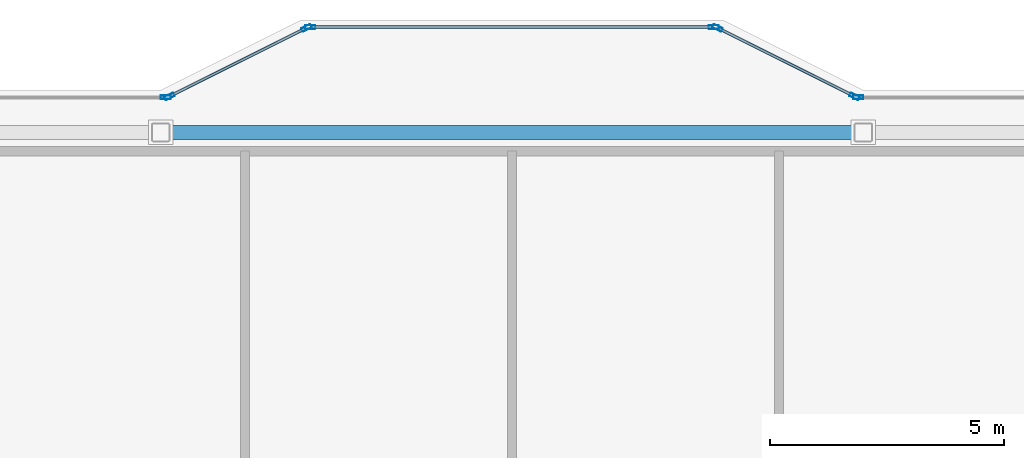
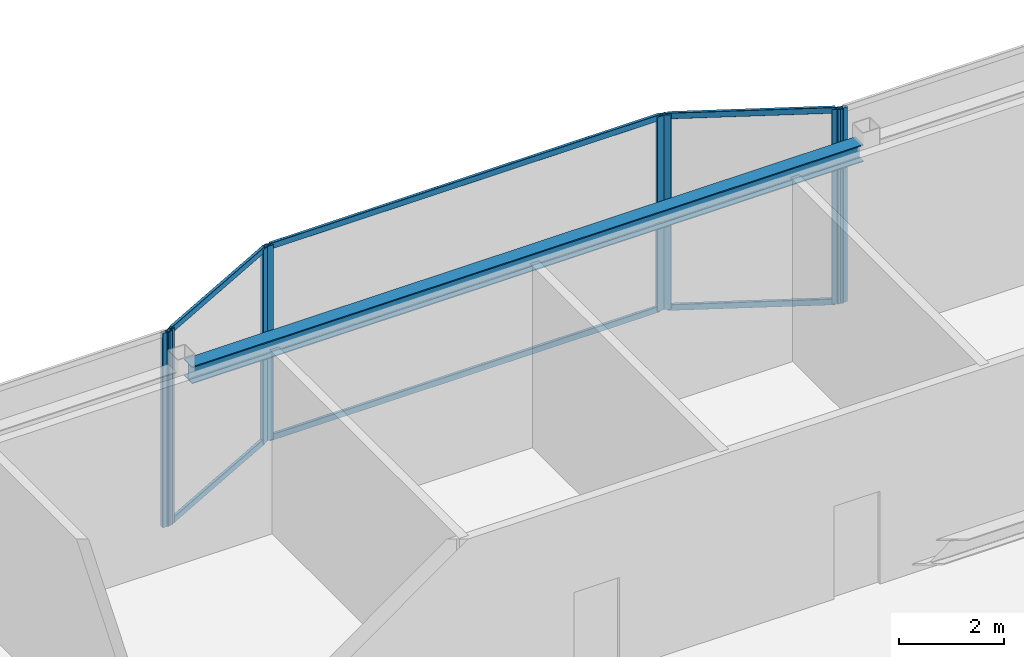
# One storey, part 11 of 18: 14 members, 1 beam, 5 elements without a shape of their own.
"""IFC4 building model written with IfcOpenShell, lengths in metres."""

import ifcopenshell
import ifcopenshell.guid

model = None  # the IFC model being written
_history = None  # IfcOwnerHistory: only IFC2X3 demands one
_inside = {}  # id of a spatial element -> (the spatial element, [elements in it])
_under = {}  # id of a project, library or spatial element -> (it, [spatial elements below it])
_declared = {}  # id of a project -> (the project, [libraries it declares])
_typed = {}  # id of a type object -> (the type object, [elements of that type])
_made_of = {}  # id of a material, layer set ... -> (it, [elements and type objects made of it])


def new_model(schema):
    """Start an empty IFC model of exactly this schema.

    Asked for "IFC4X3", IfcOpenShell would pick the latest addendum, in which some entities
    have other attributes; the version numbers below select the first issue.
    IFC2X3 requires an IfcOwnerHistory on every rooted entity: one is made here for all.
    """
    global model, _history
    if schema == "IFC4X3":
        model = ifcopenshell.file(schema_version=(4, 3, 0, 0))
    else:
        model = ifcopenshell.file(schema=schema)
    _inside.clear()
    _under.clear()
    _declared.clear()
    _typed.clear()
    _made_of.clear()
    _history = None
    if model.schema == "IFC2X3":
        org = make("IfcOrganization", Name="unknown")
        user = make(
            "IfcPersonAndOrganization",
            ThePerson=make("IfcPerson", FamilyName="unknown"),
            TheOrganization=org,
        )
        app = make(
            "IfcApplication",
            ApplicationDeveloper=org,
            Version="unknown",
            ApplicationFullName="unknown",
            ApplicationIdentifier="unknown",
        )
        _history = make(
            "IfcOwnerHistory",
            OwningUser=user,
            OwningApplication=app,
            ChangeAction="ADDED",
            CreationDate=0,
        )
    return model


def make(cls, **values):
    """One entity of the class cls with the attributes given. An attribute that is None is left unset."""
    return model.create_entity(
        cls, **{name: value for name, value in values.items() if value is not None}
    )


def rooted(cls, **values):
    """An entity with a GlobalId (a new one), such as an element, a storey or a relation."""
    return make(cls, GlobalId=ifcopenshell.guid.new(), OwnerHistory=_history, **values)


def si_unit(unit_type, name, prefix=None):
    """IfcSIUnit, for example si_unit("LENGTHUNIT", "METRE", prefix="MILLI")."""
    return make("IfcSIUnit", UnitType=unit_type, Prefix=prefix, Name=name)


def assignment(units):
    """IfcUnitAssignment: the units of a project."""
    return None if units is None else make("IfcUnitAssignment", Units=units)


def point(xyz):
    """IfcCartesianPoint."""
    return None if xyz is None else make("IfcCartesianPoint", Coordinates=xyz)


def direction(xyz):
    """IfcDirection."""
    return None if xyz is None else make("IfcDirection", DirectionRatios=xyz)


def frame(location, z_axis=None, x_axis=None):
    """IfcAxis2Placement3D, a coordinate frame: its origin and axes. An axis left out is left unset."""
    return make(
        "IfcAxis2Placement3D",
        Location=point(location),
        Axis=direction(z_axis),
        RefDirection=direction(x_axis),
    )


def frame_2d(location, x_axis=None):
    """IfcAxis2Placement2D, a coordinate frame in the plane: its origin and x axis."""
    return make(
        "IfcAxis2Placement2D", Location=point(location), RefDirection=direction(x_axis)
    )


def origin():
    """The frame at (0, 0, 0) with its axes left unset."""
    return frame((0.0, 0.0, 0.0))


def origin_2d():
    """The frame at (0, 0) in the plane with its x axis left unset."""
    return frame_2d((0.0, 0.0))


def place(relative_to, where):
    """IfcLocalPlacement: puts the frame where relative to a parent placement (None: the world)."""
    return make(
        "IfcLocalPlacement", PlacementRelTo=relative_to, RelativePlacement=where
    )


def context(
    kind, dimensions, precision=None, world=None, true_north=None, identifier=None
):
    """IfcGeometricRepresentationContext, for example the 3D "Model" context."""
    return make(
        "IfcGeometricRepresentationContext",
        ContextIdentifier=identifier,
        ContextType=kind,
        CoordinateSpaceDimension=dimensions,
        Precision=precision,
        WorldCoordinateSystem=world,
        TrueNorth=true_north,
    )


def subcontext(parent, identifier, kind, view, scale=None):
    """IfcGeometricRepresentationSubContext, for example "Body" below "Model"."""
    return make(
        "IfcGeometricRepresentationSubContext",
        ContextIdentifier=identifier,
        ContextType=kind,
        ParentContext=parent,
        TargetScale=scale,
        TargetView=view,
    )


def project(units=None, contexts=None):
    """IfcProject with its units and contexts."""
    return rooted(
        "IfcProject",
        Name="project",
        RepresentationContexts=contexts,
        UnitsInContext=assignment(units),
    )


def spatial(cls, under=None, at=None, **own):
    """A site, building, storey or space (cls), placed at a placement, below another one or the project."""
    s = rooted(cls, ObjectPlacement=at, **own)
    if under is not None:
        _under.setdefault(under.id(), (under, []))[1].append(s)
    return s


def profile(cls, at=None, kind="AREA", **sizes):
    """A parametric profile (cls). Its sizes go by their IFC names, for example OverallWidth=200.0."""
    return make(cls, ProfileType=kind, Position=at, **sizes)


def hollow_rectangle(**sizes):
    """IfcRectangleHollowProfileDef."""
    return profile("IfcRectangleHollowProfileDef", **sizes)


def i_section(**sizes):
    """IfcIShapeProfileDef."""
    return profile("IfcIShapeProfileDef", **sizes)


def extrude(swept, where, along, depth):
    """IfcExtrudedAreaSolid: the profile swept, set in the frame where, extruded along a direction by depth."""
    return make(
        "IfcExtrudedAreaSolid",
        SweptArea=swept,
        Position=where,
        ExtrudedDirection=direction(along),
        Depth=depth,
    )


def shape(context_of_items, identifier, shape_type, items):
    """IfcShapeRepresentation: the items that make up one representation, for example the "Body"."""
    return make(
        "IfcShapeRepresentation",
        ContextOfItems=context_of_items,
        RepresentationIdentifier=identifier,
        RepresentationType=shape_type,
        Items=items,
    )


def material(Name=None, Category=None):
    """IfcMaterial."""
    return make("IfcMaterial", Name=Name, Category=Category)


def layer(
    of_material, thickness, ventilated=None, Name=None, Category=None, Priority=None
):
    """IfcMaterialLayer: one layer of a wall or slab, of a material (None: an air gap)."""
    return make(
        "IfcMaterialLayer",
        Material=of_material,
        LayerThickness=thickness,
        IsVentilated=ventilated,
        Name=Name,
        Category=Category,
        Priority=Priority,
    )


def layer_set(layers, Name=None):
    """IfcMaterialLayerSet."""
    return make("IfcMaterialLayerSet", MaterialLayers=layers, LayerSetName=Name)


def material_profile(
    of_material, cross_section, Name=None, Category=None, Priority=None
):
    """IfcMaterialProfile: a cross section and its material."""
    return make(
        "IfcMaterialProfile",
        Name=Name,
        Material=of_material,
        Profile=cross_section,
        Priority=Priority,
        Category=Category,
    )


def profile_set(profiles, Name=None, composite=None):
    """IfcMaterialProfileSet."""
    return make(
        "IfcMaterialProfileSet",
        Name=Name,
        MaterialProfiles=profiles,
        CompositeProfile=composite,
    )


def made_of(thing, what):
    """Note that an element or type object is made of a material, layer set ...; save() writes the relation."""
    if what is not None:
        _made_of.setdefault(what.id(), (what, []))[1].append(thing)
    return thing


def type_object(cls, material=None, **own):
    """A type object (cls), such as IfcWallType, which elements share."""
    return made_of(rooted(cls, **own), material)


def element(
    cls,
    number,
    at=None,
    inside=None,
    cuts=None,
    type_object=None,
    material=None,
    context=None,
    identifier="Body",
    shape_type=None,
    held_by="IfcProductDefinitionShape",
    body=None,
    shapes=None,
    **own,
):
    """One element of the class cls, such as IfcWall. Its Tag is "e" and its number.

    at: its placement. inside: the storey or other place that contains it. cuts: it is an
    opening in that element (IfcRelVoidsElement). A single representation is given by context,
    identifier, shape_type and body (its items); several are given by shapes. held_by: the class
    of the entity that holds the representations. save() writes the other relations.
    """
    e = rooted(cls, Tag="e%d" % number, ObjectPlacement=at, **own)
    if body is not None:
        shapes = [shape(context, identifier, shape_type, body)]
    if shapes is not None:
        e.Representation = make(held_by, Representations=shapes)
    if inside is not None:
        _inside.setdefault(inside.id(), (inside, []))[1].append(e)
    if cuts is not None:
        rooted(
            "IfcRelVoidsElement", RelatingBuildingElement=cuts, RelatedOpeningElement=e
        )
    if type_object is not None:
        _typed.setdefault(type_object.id(), (type_object, []))[1].append(e)
    return made_of(e, material)


def aggregate(whole, parts):
    """IfcRelAggregates: a whole, such as a stair, and the parts it consists of."""
    return rooted("IfcRelAggregates", RelatingObject=whole, RelatedObjects=parts)


def save(model, path):
    """Write the relations noted so far, then the file.

    IfcRelAggregates (storeys below a building ...), IfcRelContainedInSpatialStructure (elements
    in a storey), IfcRelDefinesByType, IfcRelAssociatesMaterial and IfcRelDeclares: one each for
    every whole, place, type object, material and project.
    """
    for whole, parts in _under.values():
        aggregate(whole, parts)
    for where, things in _inside.values():
        rooted(
            "IfcRelContainedInSpatialStructure",
            RelatedElements=things,
            RelatingStructure=where,
        )
    for kind, things in _typed.values():
        rooted("IfcRelDefinesByType", RelatedObjects=things, RelatingType=kind)
    for what, things in _made_of.values():
        rooted("IfcRelAssociatesMaterial", RelatedObjects=things, RelatingMaterial=what)
    for by, libraries in _declared.values():
        rooted("IfcRelDeclares", RelatingContext=by, RelatedDefinitions=libraries)
    model.write(path)


model = new_model("IFC4")

# Units and contexts
model_context = context("Model", 3, precision=1e-05, world=origin(), true_north=direction((0.0, 1.0)))
body_context = subcontext(model_context, "Body", "Model", "MODEL_VIEW")
ifc_project = project(units=[si_unit("LENGTHUNIT", "METRE"), si_unit("AREAUNIT", "SQUARE_METRE"), si_unit("VOLUMEUNIT", "CUBIC_METRE"), si_unit("PLANEANGLEUNIT", "RADIAN"), si_unit("MASSUNIT", "GRAM", prefix="KILO")], contexts=[model_context])

# Site, building, storey
site_placement = place(None, origin())
site = spatial("IfcSite", under=ifc_project, at=site_placement, CompositionType="ELEMENT")
building_placement = place(site_placement, origin())
building = spatial("IfcBuilding", under=site, at=building_placement, Name="Tarnavaz Court Tower", CompositionType="ELEMENT")
storey_placement = place(building_placement, frame((0.0, 0.0, 281.550048828125)))
storey = spatial("IfcBuildingStorey", under=building, at=storey_placement, Name="C01", CompositionType="ELEMENT", Elevation=281.550048828125)

# Beam
ifc_material_1 = material(Name="Steel S355", Category="steel")
ifc_material_profile_1 = material_profile(ifc_material_1, i_section(OverallWidth=0.300048828125, OverallDepth=0.39990234375, WebThickness=0.013427734375, FlangeThickness=0.02392578125, FilletRadius=0.027099609375, at=origin_2d()), Name="HEB 400")
ifc_profile_set_1 = profile_set([ifc_material_profile_1], Name="Steel S355")
beam_type = type_object("IfcBeamType", Name="BM-G-HEB400", PredefinedType="USERDEFINED", material=ifc_profile_set_1)
beam_placement = place(storey_placement, frame((-7.35009765625, 20.10009765625, 4.0), z_axis=(1.0, 0.0, 0.0), x_axis=(0.0, 1.0, 0.0)))
element("IfcBeam", 1, at=beam_placement, inside=storey, type_object=beam_type, Name="C01 Beam CRG-PN-2-PN-3", ObjectType="GIRDER", PredefinedType="USERDEFINED", context=body_context, shape_type="SweptSolid", body=[
    extrude(i_section(OverallWidth=0.300048828125, OverallDepth=0.39990234375, WebThickness=0.013427734375, FlangeThickness=0.02392578125, FilletRadius=0.027099609375, at=origin_2d()), origin(), (0.0, 0.0, 1.0), 14.7001953125),
])

# Curtain wall, member
ifc_material_2 = material(Name="Anodised Aluminium 6063-T6 and Solar Low-E Glazing", Category="aluminium")
ifc_layer = layer(ifc_material_2, 0.2099609375)
ifc_layer_set = layer_set([ifc_layer], Name="Anodised Aluminium 6063-T6 and Solar Low-E Glazing")
curtain_wall_type = type_object("IfcCurtainWallType", Name="CW-SYS-06", PredefinedType="NOTDEFINED", material=ifc_layer_set)
curtain_wall_1_placement = place(storey_placement, origin())
curtain_wall_1 = element("IfcCurtainWall", 2, at=curtain_wall_1_placement, inside=storey, type_object=curtain_wall_type, Name="C01 Slanted Crown Terracotta Curtain Wall 17", PredefinedType="NOTDEFINED")
ifc_material_3 = material(Name="Anodised Aluminium 6063-T6", Category="aluminium")
ifc_material_profile_2 = material_profile(ifc_material_3, hollow_rectangle(XDim=0.0849609375, YDim=0.219970703125, WallThickness=0.006103515625, InnerFilletRadius=0.006103515625, OuterFilletRadius=0.011962890625, at=origin_2d()), Name="ALU RHS 220X85X6")
ifc_profile_set_2 = profile_set([ifc_material_profile_2], Name="Anodised Aluminium 6063-T6")
member_type_1 = type_object("IfcMemberType", Name="CW-MUL-220", PredefinedType="MULLION", material=ifc_profile_set_2)
member_1_placement = place(storey_placement, frame((-7.392578125, 20.85009765625, 0.0), z_axis=(0.0, 0.0, 1.0), x_axis=(0.0, 1.0, 0.0)))
member_1 = element("IfcMember", 3, at=member_1_placement, type_object=member_type_1, Name="CW mullion 3", PredefinedType="MULLION", context=body_context, shape_type="SweptSolid", body=[
    extrude(hollow_rectangle(XDim=0.0849609375, YDim=0.219970703125, WallThickness=0.006103515625, InnerFilletRadius=0.006103515625, OuterFilletRadius=0.011962890625, at=origin_2d()), origin(), (0.0, 0.0, 1.0), 4.5),
])
aggregate(curtain_wall_1, [member_1])

# Curtain wall, members
curtain_wall_2_placement = place(storey_placement, origin())
curtain_wall_2 = element("IfcCurtainWall", 4, at=curtain_wall_2_placement, inside=storey, type_object=curtain_wall_type, Name="C01 Slanted Crown Terracotta Curtain Wall 18", PredefinedType="NOTDEFINED")
member_2_placement = place(storey_placement, frame((-7.31201171875, 20.868896484375, 0.0), z_axis=(0.0, 0.0, 1.0), x_axis=(-0.447213595499, 0.894427191001, 0.0)))
member_2 = element("IfcMember", 5, at=member_2_placement, type_object=member_type_1, Name="CW mullion 1", PredefinedType="MULLION", context=body_context, shape_type="SweptSolid", body=[
    extrude(hollow_rectangle(XDim=0.0849609375, YDim=0.219970703125, WallThickness=0.006103515625, InnerFilletRadius=0.006103515625, OuterFilletRadius=0.011962890625, at=origin_2d()), origin(), (0.0, 0.0, 1.0), 4.5),
])
member_3_placement = place(storey_placement, frame((-4.387939453125, 22.3310546875, 0.0), z_axis=(0.0, 0.0, 1.0), x_axis=(-0.447213595499, 0.894427191001, 0.0)))
member_3 = element("IfcMember", 6, at=member_3_placement, type_object=member_type_1, Name="CW mullion 2", PredefinedType="MULLION", context=body_context, shape_type="SweptSolid", body=[
    extrude(hollow_rectangle(XDim=0.0849609375, YDim=0.219970703125, WallThickness=0.006103515625, InnerFilletRadius=0.006103515625, OuterFilletRadius=0.011962890625, at=origin_2d()), origin(), (0.0, 0.0, 1.0), 4.5),
])

curtain_wall_3_placement = place(storey_placement, origin())
curtain_wall_3 = element("IfcCurtainWall", 7, at=curtain_wall_3_placement, inside=storey, type_object=curtain_wall_type, Name="C01 Slanted Crown Terracotta Curtain Wall 19", PredefinedType="NOTDEFINED")
member_4_placement = place(storey_placement, frame((-4.3076171875, 22.35009765625, 0.0), z_axis=(0.0, 0.0, 1.0), x_axis=(0.0, 1.0, 0.0)))
member_4 = element("IfcMember", 8, at=member_4_placement, type_object=member_type_1, Name="CW mullion 1", PredefinedType="MULLION", context=body_context, shape_type="SweptSolid", body=[
    extrude(hollow_rectangle(XDim=0.0849609375, YDim=0.219970703125, WallThickness=0.006103515625, InnerFilletRadius=0.006103515625, OuterFilletRadius=0.011962890625, at=origin_2d()), origin(), (0.0, 0.0, 1.0), 4.5),
])
member_5_placement = place(storey_placement, frame((4.3076171875, 22.35009765625, 0.0), z_axis=(0.0, 0.0, 1.0), x_axis=(0.0, 1.0, 0.0)))
member_5 = element("IfcMember", 9, at=member_5_placement, type_object=member_type_1, Name="CW mullion 2", PredefinedType="MULLION", context=body_context, shape_type="SweptSolid", body=[
    extrude(hollow_rectangle(XDim=0.0849609375, YDim=0.219970703125, WallThickness=0.006103515625, InnerFilletRadius=0.006103515625, OuterFilletRadius=0.011962890625, at=origin_2d()), origin(), (0.0, 0.0, 1.0), 4.5),
])

curtain_wall_4_placement = place(storey_placement, origin())
curtain_wall_4 = element("IfcCurtainWall", 10, at=curtain_wall_4_placement, inside=storey, type_object=curtain_wall_type, Name="C01 Slanted Crown Terracotta Curtain Wall 20", PredefinedType="NOTDEFINED")
member_6_placement = place(storey_placement, frame((4.387939453125, 22.3310546875, 0.0), z_axis=(0.0, 0.0, 1.0), x_axis=(0.447213595499, 0.894427191001, 0.0)))
member_6 = element("IfcMember", 11, at=member_6_placement, type_object=member_type_1, Name="CW mullion 1", PredefinedType="MULLION", context=body_context, shape_type="SweptSolid", body=[
    extrude(hollow_rectangle(XDim=0.0849609375, YDim=0.219970703125, WallThickness=0.006103515625, InnerFilletRadius=0.006103515625, OuterFilletRadius=0.011962890625, at=origin_2d()), origin(), (0.0, 0.0, 1.0), 4.5),
])
member_7_placement = place(storey_placement, frame((7.31201171875, 20.868896484375, 0.0), z_axis=(0.0, 0.0, 1.0), x_axis=(0.447213595499, 0.894427191001, 0.0)))
member_7 = element("IfcMember", 12, at=member_7_placement, type_object=member_type_1, Name="CW mullion 2", PredefinedType="MULLION", context=body_context, shape_type="SweptSolid", body=[
    extrude(hollow_rectangle(XDim=0.0849609375, YDim=0.219970703125, WallThickness=0.006103515625, InnerFilletRadius=0.006103515625, OuterFilletRadius=0.011962890625, at=origin_2d()), origin(), (0.0, 0.0, 1.0), 4.5),
])

# Curtain wall, member
curtain_wall_5_placement = place(storey_placement, origin())
curtain_wall_5 = element("IfcCurtainWall", 13, at=curtain_wall_5_placement, inside=storey, type_object=curtain_wall_type, Name="C01 Slanted Crown Terracotta Curtain Wall 21", PredefinedType="NOTDEFINED")
member_8_placement = place(storey_placement, frame((7.392578125, 20.85009765625, 0.0), z_axis=(0.0, 0.0, 1.0), x_axis=(0.0, 1.0, 0.0)))
member_8 = element("IfcMember", 14, at=member_8_placement, type_object=member_type_1, Name="CW mullion 1", PredefinedType="MULLION", context=body_context, shape_type="SweptSolid", body=[
    extrude(hollow_rectangle(XDim=0.0849609375, YDim=0.219970703125, WallThickness=0.006103515625, InnerFilletRadius=0.006103515625, OuterFilletRadius=0.011962890625, at=origin_2d()), origin(), (0.0, 0.0, 1.0), 4.5),
])
aggregate(curtain_wall_5, [member_8])

# Member
ifc_material_profile_3 = material_profile(ifc_material_3, hollow_rectangle(XDim=0.06494140625, YDim=0.139892578125, WallThickness=0.00390625, InnerFilletRadius=0.00390625, OuterFilletRadius=0.008056640625, at=origin_2d()), Name="ALU RHS 140X65X4")
ifc_profile_set_3 = profile_set([ifc_material_profile_3], Name="Anodised Aluminium 6063-T6")
member_type_2 = type_object("IfcMemberType", Name="CW-TRN-140", PredefinedType="USERDEFINED", material=ifc_profile_set_3)
member_9_placement = place(storey_placement, frame((-7.27392578125, 20.887939453125, 0.032470703125), z_axis=(0.894411855509, 0.447244265168, 0.0), x_axis=(-0.447244265168, 0.894411855509, 0.0)))
member_9 = element("IfcMember", 15, at=member_9_placement, type_object=member_type_2, Name="CW transom 1.1", ObjectType="TRANSOM", PredefinedType="USERDEFINED", context=body_context, shape_type="SweptSolid", body=[
    extrude(hollow_rectangle(XDim=0.06494140625, YDim=0.139892578125, WallThickness=0.00390625, InnerFilletRadius=0.00390625, OuterFilletRadius=0.008056640625, at=origin_2d()), origin(), (0.0, 0.0, 1.0), 3.18408203125),
])

member_10_placement = place(storey_placement, frame((-7.27392578125, 20.887939453125, 4.467529296875), z_axis=(0.894411855509, 0.447244265168, 0.0), x_axis=(-0.447244265168, 0.894411855509, 0.0)))
member_10 = element("IfcMember", 16, at=member_10_placement, type_object=member_type_2, Name="CW transom 1.2", ObjectType="TRANSOM", PredefinedType="USERDEFINED", context=body_context, shape_type="SweptSolid", body=[
    extrude(hollow_rectangle(XDim=0.06494140625, YDim=0.139892578125, WallThickness=0.00390625, InnerFilletRadius=0.00390625, OuterFilletRadius=0.008056640625, at=origin_2d()), origin(), (0.0, 0.0, 1.0), 3.18408203125),
])

aggregate(curtain_wall_2, [member_2, member_3, member_9, member_10])

member_11_placement = place(storey_placement, frame((-4.264892578125, 22.35009765625, 0.032470703125), z_axis=(1.0, 0.0, 0.0), x_axis=(0.0, 1.0, 0.0)))
member_11 = element("IfcMember", 17, at=member_11_placement, type_object=member_type_2, Name="CW transom 1.1", ObjectType="TRANSOM", PredefinedType="USERDEFINED", context=body_context, shape_type="SweptSolid", body=[
    extrude(hollow_rectangle(XDim=0.06494140625, YDim=0.139892578125, WallThickness=0.00390625, InnerFilletRadius=0.00390625, OuterFilletRadius=0.008056640625, at=origin_2d()), origin(), (0.0, 0.0, 1.0), 8.52978515625),
])

member_12_placement = place(storey_placement, frame((-4.264892578125, 22.35009765625, 4.467529296875), z_axis=(1.0, 0.0, 0.0), x_axis=(0.0, 1.0, 0.0)))
member_12 = element("IfcMember", 18, at=member_12_placement, type_object=member_type_2, Name="CW transom 1.2", ObjectType="TRANSOM", PredefinedType="USERDEFINED", context=body_context, shape_type="SweptSolid", body=[
    extrude(hollow_rectangle(XDim=0.06494140625, YDim=0.139892578125, WallThickness=0.00390625, InnerFilletRadius=0.00390625, OuterFilletRadius=0.008056640625, at=origin_2d()), origin(), (0.0, 0.0, 1.0), 8.52978515625),
])

aggregate(curtain_wall_3, [member_4, member_5, member_11, member_12])

member_13_placement = place(storey_placement, frame((4.426025390625, 22.31201171875, 0.032470703125), z_axis=(0.894411855509, -0.447244265168, 0.0), x_axis=(0.447244265168, 0.894411855509, 0.0)))
member_13 = element("IfcMember", 19, at=member_13_placement, type_object=member_type_2, Name="CW transom 1.1", ObjectType="TRANSOM", PredefinedType="USERDEFINED", context=body_context, shape_type="SweptSolid", body=[
    extrude(hollow_rectangle(XDim=0.06494140625, YDim=0.139892578125, WallThickness=0.00390625, InnerFilletRadius=0.00390625, OuterFilletRadius=0.008056640625, at=origin_2d()), origin(), (0.0, 0.0, 1.0), 3.18408203125),
])

member_14_placement = place(storey_placement, frame((4.426025390625, 22.31201171875, 4.467529296875), z_axis=(0.894411855509, -0.447244265168, 0.0), x_axis=(0.447244265168, 0.894411855509, 0.0)))
member_14 = element("IfcMember", 20, at=member_14_placement, type_object=member_type_2, Name="CW transom 1.2", ObjectType="TRANSOM", PredefinedType="USERDEFINED", context=body_context, shape_type="SweptSolid", body=[
    extrude(hollow_rectangle(XDim=0.06494140625, YDim=0.139892578125, WallThickness=0.00390625, InnerFilletRadius=0.00390625, OuterFilletRadius=0.008056640625, at=origin_2d()), origin(), (0.0, 0.0, 1.0), 3.18408203125),
])

aggregate(curtain_wall_4, [member_6, member_7, member_13, member_14])

save(model, "model.ifc")
